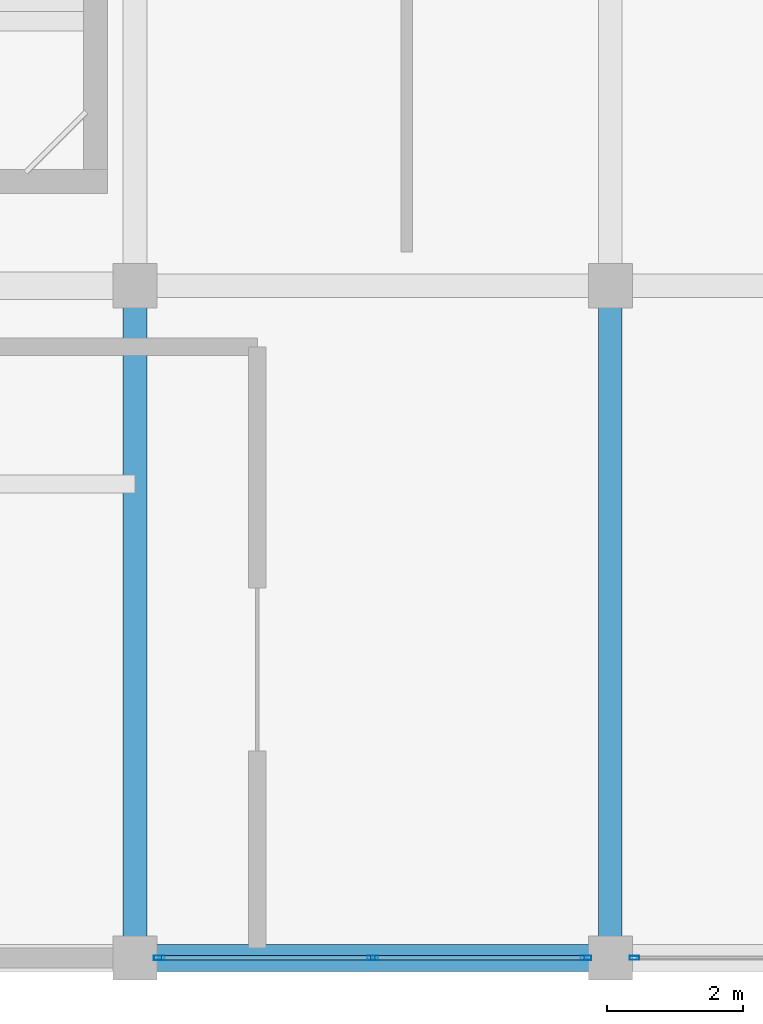
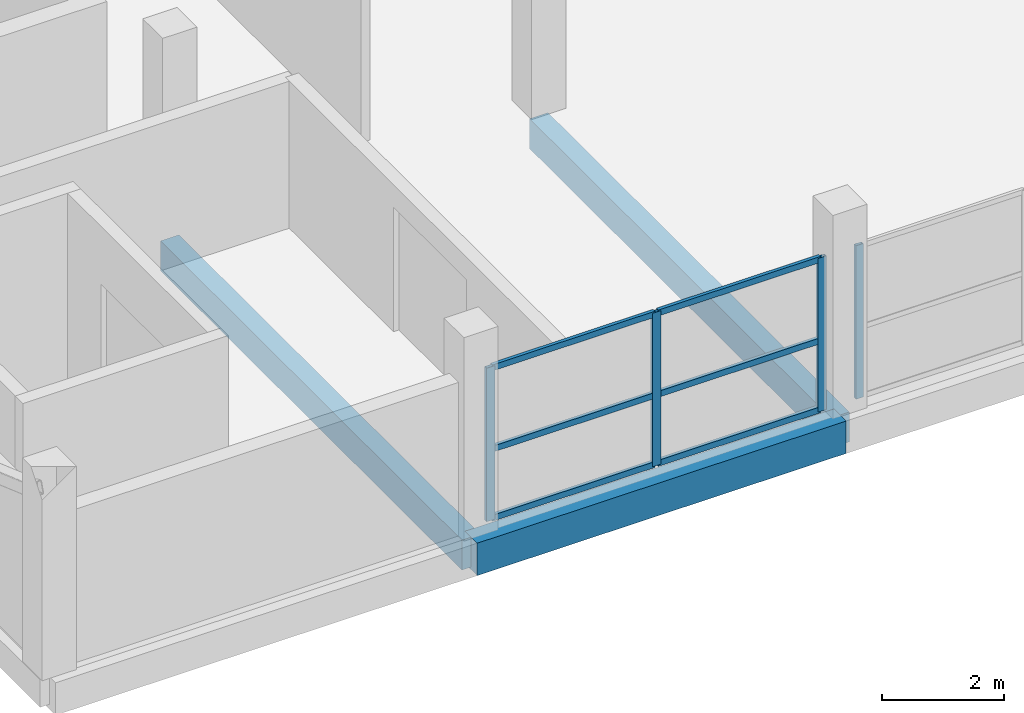
# One storey, part 2 of 70: 10 members, 3 beams, 2 elements without a shape of their own.
"""IFC4 building model written with IfcOpenShell, lengths in metres."""

from ifc_helpers import new_model, si_unit, direction, frame, origin, origin_2d, place, context, subcontext, project, spatial, rectangle, hollow_rectangle, extrude, material, layer, layer_set, material_profile, profile_set, type_object, element, aggregate, save


model = new_model("IFC4")

# Units and contexts
model_context = context("Model", 3, precision=1e-05, world=origin(), true_north=direction((0.0, 1.0)))
body_context = subcontext(model_context, "Body", "Model", "MODEL_VIEW")
ifc_project = project(units=[si_unit("LENGTHUNIT", "METRE"), si_unit("AREAUNIT", "SQUARE_METRE"), si_unit("VOLUMEUNIT", "CUBIC_METRE"), si_unit("PLANEANGLEUNIT", "RADIAN"), si_unit("MASSUNIT", "GRAM", prefix="KILO")], contexts=[model_context])

# Site, building, storey
site_placement = place(None, origin())
site = spatial("IfcSite", under=ifc_project, at=site_placement, CompositionType="ELEMENT")
building_placement = place(site_placement, origin())
building = spatial("IfcBuilding", under=site, at=building_placement, Name="Sillaruma Civic Art Gallery", CompositionType="ELEMENT")
storey_placement = place(building_placement, frame((0.0, 0.0, 66.300048828125)))
storey = spatial("IfcBuildingStorey", under=building, at=storey_placement, Name="L13", CompositionType="ELEMENT", Elevation=66.300048828125)

# Beams
ifc_material_1 = material(Name="Concrete H35 (35 MPa)", Category="concrete")
ifc_material_profile_1 = material_profile(ifc_material_1, rectangle(XDim=0.35009765625, YDim=0.60009765625, at=origin_2d()), Name="RCB350x600")
ifc_profile_set_1 = profile_set([ifc_material_profile_1], Name="Concrete H35 (35 MPa)")
beam_type_1 = type_object("IfcBeamType", Name="BM-BEAM-RCB350x600", PredefinedType="BEAM", material=ifc_profile_set_1)
for number, where, z_axis, x_axis, name in (
    (1, (70.0, 19.800048828125, -0.530029296875), (0.0, 1.0, 0.0), (-1.0, 0.0, 0.0), "Beam BM-06 (L12:G:3-4)"),
    (2, (77.0, 19.800048828125, -0.530029296875), (0.0, 1.0, 0.0), (-1.0, 0.0, 0.0), "Beam BM-06 (L12:H:3-4)"),
):
    element("IfcBeam", number, at=place(storey_placement, frame(where, z_axis=z_axis, x_axis=x_axis)), inside=storey, type_object=beam_type_1, Name=name, PredefinedType="BEAM", context=body_context, shape_type="SweptSolid", body=[
        extrude(rectangle(XDim=0.35009765625, YDim=0.60009765625, at=origin_2d()), origin(), (0.0, 0.0, 1.0), 9.89990234375),
    ])
ifc_material_profile_2 = material_profile(ifc_material_1, rectangle(XDim=0.39990234375, YDim=0.64990234375, at=origin_2d()), Name="RCB400x650")
ifc_profile_set_2 = profile_set([ifc_material_profile_2], Name="Concrete H35 (35 MPa)")
beam_type_2 = type_object("IfcBeamType", Name="BM-SPANDREL-RCB400x650", PredefinedType="SPANDREL", material=ifc_profile_set_2)
beam_placement = place(storey_placement, frame((70.0, 19.800048828125, -0.554931640625), z_axis=(1.0, 0.0, 0.0), x_axis=(0.0, 1.0, 0.0)))
element("IfcBeam", 3, at=beam_placement, inside=storey, type_object=beam_type_2, Name="Beam BS-02 (L12:3:G-H)", PredefinedType="SPANDREL", context=body_context, shape_type="SweptSolid", body=[
    extrude(rectangle(XDim=0.39990234375, YDim=0.64990234375, at=origin_2d()), origin(), (0.0, 0.0, 1.0), 7.0),
])

# Curtain wall, member
ifc_material_2 = material(Name="Thermally Broken Extruded Aluminium 6063-T6", Category="aluminium")
ifc_layer_1 = layer(ifc_material_2, 0.139892578125, Name="Thermally Broken Extruded Aluminium 6063-T6")
ifc_layer_set_1 = layer_set([ifc_layer_1], Name="Thermally Broken Extruded Aluminium 6063-T6")
curtain_wall_type_1 = type_object("IfcCurtainWallType", Name="CW-UNI-106", PredefinedType="NOTDEFINED", material=ifc_layer_set_1)
curtain_wall_1_placement = place(storey_placement, origin())
curtain_wall_1 = element("IfcCurtainWall", 4, at=curtain_wall_1_placement, inside=storey, type_object=curtain_wall_type_1, Name="Unitised Curtain Wall CW-106 (CW-L13-WBS-3)", PredefinedType="NOTDEFINED")
ifc_material_profile_3 = material_profile(ifc_material_2, hollow_rectangle(XDim=0.06005859375, YDim=0.139892578125, WallThickness=0.00341796875, at=origin_2d()), Name="CWM60x140")
ifc_profile_set_3 = profile_set([ifc_material_profile_3], Name="Thermally Broken Extruded Aluminium 6063-T6")
member_type_1 = type_object("IfcMemberType", Name="MEM-MUL-CWM60x140", PredefinedType="MULLION", material=ifc_profile_set_3)
member_1_placement = place(storey_placement, frame((77.35498046875, 19.800048828125, 0.0), z_axis=(0.0, 0.0, 1.0), x_axis=(0.0, 1.0, 0.0)))
member_1 = element("IfcMember", 5, at=member_1_placement, type_object=member_type_1, Name="CW-106 mullion 1", PredefinedType="MULLION", context=body_context, shape_type="SweptSolid", body=[
    extrude(hollow_rectangle(XDim=0.06005859375, YDim=0.139892578125, WallThickness=0.00341796875, at=origin_2d()), origin(), (0.0, 0.0, 1.0), 3.079833984375),
])
aggregate(curtain_wall_1, [member_1])

# Curtain wall, members
ifc_layer_2 = layer(ifc_material_2, 0.159912109375, Name="Thermally Broken Extruded Aluminium 6063-T6")
ifc_layer_set_2 = layer_set([ifc_layer_2], Name="Thermally Broken Extruded Aluminium 6063-T6")
curtain_wall_type_2 = type_object("IfcCurtainWallType", Name="CW-UNI-96", PredefinedType="NOTDEFINED", material=ifc_layer_set_2)
curtain_wall_2_placement = place(storey_placement, origin())
curtain_wall_2 = element("IfcCurtainWall", 6, at=curtain_wall_2_placement, inside=storey, type_object=curtain_wall_type_2, Name="Unitised Curtain Wall CW-96 (CW-L13-WBS-2)", PredefinedType="NOTDEFINED")
ifc_material_profile_4 = material_profile(ifc_material_2, hollow_rectangle(XDim=0.06494140625, YDim=0.159912109375, WallThickness=0.00390625, at=origin_2d()), Name="CWM65x160")
ifc_profile_set_4 = profile_set([ifc_material_profile_4], Name="Thermally Broken Extruded Aluminium 6063-T6")
member_type_2 = type_object("IfcMemberType", Name="MEM-MUL-CWM65x160", PredefinedType="MULLION", material=ifc_profile_set_4)
member_2_placement = place(storey_placement, frame((70.357421875, 19.800048828125, 0.0), z_axis=(0.0, 0.0, 1.0), x_axis=(0.0, 1.0, 0.0)))
member_2 = element("IfcMember", 7, at=member_2_placement, type_object=member_type_2, Name="CW-96 mullion 1", PredefinedType="MULLION", context=body_context, shape_type="SweptSolid", body=[
    extrude(hollow_rectangle(XDim=0.06494140625, YDim=0.159912109375, WallThickness=0.00390625, at=origin_2d()), origin(), (0.0, 0.0, 1.0), 3.079833984375),
])
member_3_placement = place(storey_placement, frame((73.5, 19.800048828125, 0.0), z_axis=(0.0, 0.0, 1.0), x_axis=(0.0, 1.0, 0.0)))
member_3 = element("IfcMember", 8, at=member_3_placement, type_object=member_type_2, Name="CW-96 mullion 2", PredefinedType="MULLION", context=body_context, shape_type="SweptSolid", body=[
    extrude(hollow_rectangle(XDim=0.06494140625, YDim=0.159912109375, WallThickness=0.00390625, at=origin_2d()), origin(), (0.0, 0.0, 1.0), 3.079833984375),
])
member_4_placement = place(storey_placement, frame((76.642578125, 19.800048828125, 0.0), z_axis=(0.0, 0.0, 1.0), x_axis=(0.0, 1.0, 0.0)))
member_4 = element("IfcMember", 9, at=member_4_placement, type_object=member_type_2, Name="CW-96 mullion 3", PredefinedType="MULLION", context=body_context, shape_type="SweptSolid", body=[
    extrude(hollow_rectangle(XDim=0.06494140625, YDim=0.159912109375, WallThickness=0.00390625, at=origin_2d()), origin(), (0.0, 0.0, 1.0), 3.079833984375),
])
ifc_material_profile_5 = material_profile(ifc_material_2, hollow_rectangle(XDim=0.06494140625, YDim=0.1201171875, WallThickness=0.00341796875, at=origin_2d()), Name="CWT65x120")
ifc_profile_set_5 = profile_set([ifc_material_profile_5], Name="Thermally Broken Extruded Aluminium 6063-T6")
member_type_3 = type_object("IfcMemberType", Name="MEM-TRN-CWT65x120", PredefinedType="USERDEFINED", material=ifc_profile_set_5)
member_5_placement = place(storey_placement, frame((70.389892578125, 19.800048828125, 0.032470703125), z_axis=(1.0, 0.0, 0.0), x_axis=(0.0, 1.0, 0.0)))
member_5 = element("IfcMember", 10, at=member_5_placement, type_object=member_type_3, Name="CW-96 transom 1.1", ObjectType="TRANSOM", PredefinedType="USERDEFINED", context=body_context, shape_type="SweptSolid", body=[
    extrude(hollow_rectangle(XDim=0.06494140625, YDim=0.1201171875, WallThickness=0.00341796875, at=origin_2d()), origin(), (0.0, 0.0, 1.0), 3.07763671875),
])
member_6_placement = place(storey_placement, frame((70.389892578125, 19.800048828125, 1.416748046875), z_axis=(1.0, 0.0, 0.0), x_axis=(0.0, 1.0, 0.0)))
member_6 = element("IfcMember", 11, at=member_6_placement, type_object=member_type_3, Name="CW-96 transom 1.2", ObjectType="TRANSOM", PredefinedType="USERDEFINED", context=body_context, shape_type="SweptSolid", body=[
    extrude(hollow_rectangle(XDim=0.06494140625, YDim=0.1201171875, WallThickness=0.00341796875, at=origin_2d()), origin(), (0.0, 0.0, 1.0), 3.07763671875),
])
member_7_placement = place(storey_placement, frame((70.389892578125, 19.800048828125, 3.04736328125), z_axis=(1.0, 0.0, 0.0), x_axis=(0.0, 1.0, 0.0)))
member_7 = element("IfcMember", 12, at=member_7_placement, type_object=member_type_3, Name="CW-96 transom 1.3", ObjectType="TRANSOM", PredefinedType="USERDEFINED", context=body_context, shape_type="SweptSolid", body=[
    extrude(hollow_rectangle(XDim=0.06494140625, YDim=0.1201171875, WallThickness=0.00341796875, at=origin_2d()), origin(), (0.0, 0.0, 1.0), 3.07763671875),
])
member_8_placement = place(storey_placement, frame((73.532470703125, 19.800048828125, 0.032470703125), z_axis=(1.0, 0.0, 0.0), x_axis=(0.0, 1.0, 0.0)))
member_8 = element("IfcMember", 13, at=member_8_placement, type_object=member_type_3, Name="CW-96 transom 2.1", ObjectType="TRANSOM", PredefinedType="USERDEFINED", context=body_context, shape_type="SweptSolid", body=[
    extrude(hollow_rectangle(XDim=0.06494140625, YDim=0.1201171875, WallThickness=0.00341796875, at=origin_2d()), origin(), (0.0, 0.0, 1.0), 3.07763671875),
])
member_9_placement = place(storey_placement, frame((73.532470703125, 19.800048828125, 1.416748046875), z_axis=(1.0, 0.0, 0.0), x_axis=(0.0, 1.0, 0.0)))
member_9 = element("IfcMember", 14, at=member_9_placement, type_object=member_type_3, Name="CW-96 transom 2.2", ObjectType="TRANSOM", PredefinedType="USERDEFINED", context=body_context, shape_type="SweptSolid", body=[
    extrude(hollow_rectangle(XDim=0.06494140625, YDim=0.1201171875, WallThickness=0.00341796875, at=origin_2d()), origin(), (0.0, 0.0, 1.0), 3.07763671875),
])
member_10_placement = place(storey_placement, frame((73.532470703125, 19.800048828125, 3.04736328125), z_axis=(1.0, 0.0, 0.0), x_axis=(0.0, 1.0, 0.0)))
member_10 = element("IfcMember", 15, at=member_10_placement, type_object=member_type_3, Name="CW-96 transom 2.3", ObjectType="TRANSOM", PredefinedType="USERDEFINED", context=body_context, shape_type="SweptSolid", body=[
    extrude(hollow_rectangle(XDim=0.06494140625, YDim=0.1201171875, WallThickness=0.00341796875, at=origin_2d()), origin(), (0.0, 0.0, 1.0), 3.07763671875),
])
aggregate(curtain_wall_2, [member_2, member_3, member_4, member_5, member_6, member_7, member_8, member_9, member_10])

save(model, "model.ifc")
